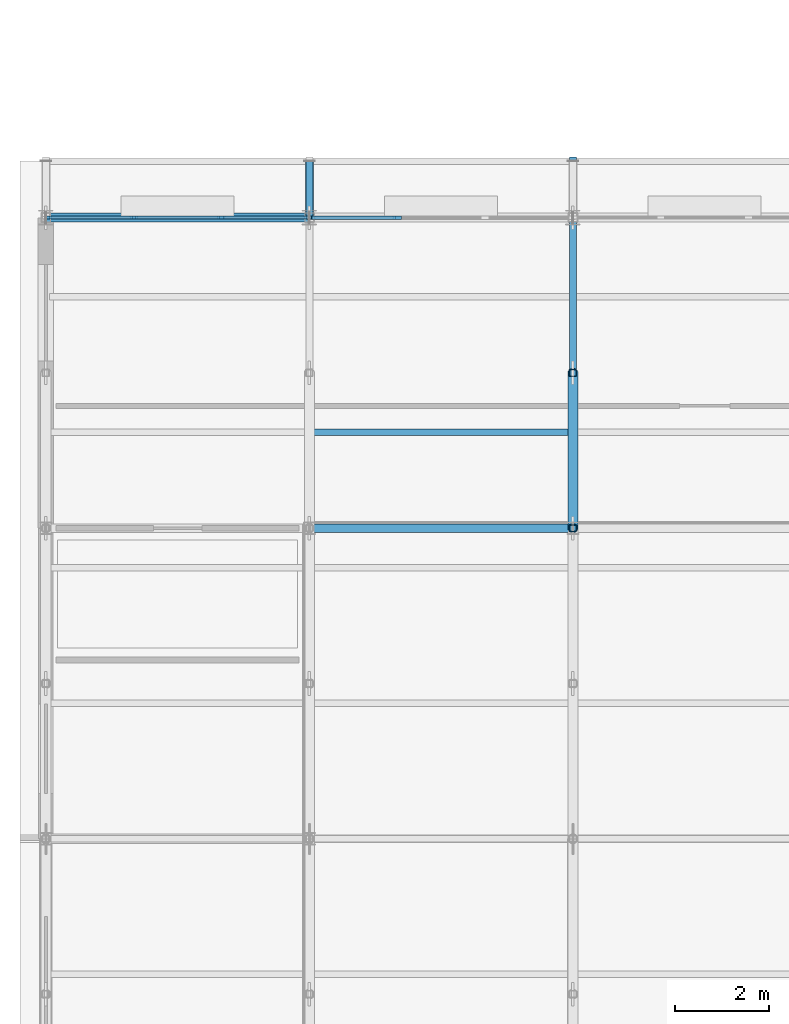
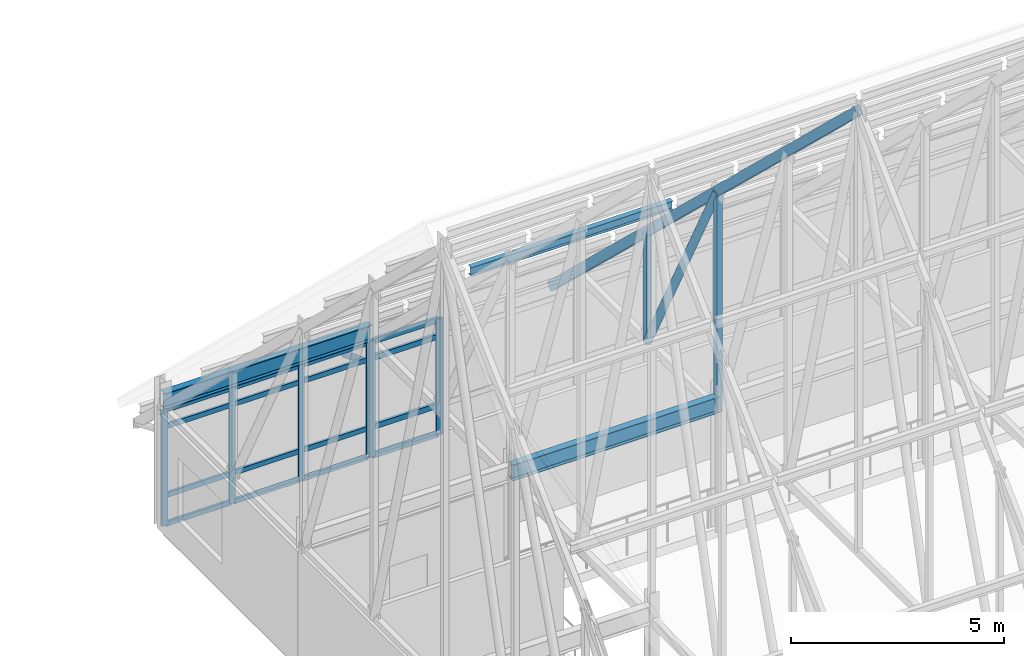
# One storey, part 32 of 144: 28 members, 2 beams, 2 elements without a shape of their own.
"""IFC4 building model written with IfcOpenShell, lengths in metres."""

from ifc_helpers import new_model, si_unit, direction, frame, origin, origin_2d, place, context, subcontext, project, spatial, rectangle, hollow_rectangle, hollow_circle, i_section, extrude, material, layer, layer_set, material_profile, profile_set, type_object, element, aggregate, save


model = new_model("IFC4")

# Units and contexts
model_context = context("Model", 3, precision=1e-05, world=origin(), true_north=direction((0.0, 1.0)))
body_context = subcontext(model_context, "Body", "Model", "MODEL_VIEW")
ifc_project = project(units=[si_unit("LENGTHUNIT", "METRE"), si_unit("AREAUNIT", "SQUARE_METRE"), si_unit("VOLUMEUNIT", "CUBIC_METRE"), si_unit("PLANEANGLEUNIT", "RADIAN"), si_unit("MASSUNIT", "GRAM", prefix="KILO")], contexts=[model_context])

# Site, building, storey
site_placement = place(None, origin())
site = spatial("IfcSite", under=ifc_project, at=site_placement, CompositionType="ELEMENT")
building_placement = place(site_placement, origin())
building = spatial("IfcBuilding", under=site, at=building_placement, Name="Trelmorton Wharf Fire Station", CompositionType="ELEMENT")
storey_placement = place(building_placement, frame((0.0, 0.0, 5.39990234375)))
storey = spatial("IfcBuildingStorey", under=building, at=storey_placement, Name="L01", CompositionType="ELEMENT", Elevation=5.39990234375)

# Curtain wall, members
ifc_material_1 = material(Name="Anodised aluminium AW-6063", Category="aluminium")
ifc_layer = layer(ifc_material_1, 0.175048828125)
ifc_layer_set = layer_set([ifc_layer], Name="Anodised aluminium AW-6063")
curtain_wall_type = type_object("IfcCurtainWallType", Name="CW_CHIC_B", PredefinedType="USERDEFINED", material=ifc_layer_set)
curtain_wall_1_placement = place(storey_placement, origin())
curtain_wall_1 = element("IfcCurtainWall", 1, at=curtain_wall_1_placement, inside=storey, type_object=curtain_wall_type, Name="CW-V1-L01-009", ObjectType="CHICAGO BAY CURTAIN WALL", PredefinedType="USERDEFINED")
ifc_material_profile_1 = material_profile(ifc_material_1, rectangle(XDim=0.06494140625, YDim=0.159912109375, at=origin_2d()), Name="ALU-65x160")
ifc_profile_set_1 = profile_set([ifc_material_profile_1], Name="Anodised aluminium AW-6063")
member_type_1 = type_object("IfcMemberType", Name="CWM_65x160", PredefinedType="MULLION", material=ifc_profile_set_1)
member_1_placement = place(storey_placement, frame((0.8349609375, 34.199951171875, 0.0), z_axis=(0.0, 0.0, 1.0), x_axis=(0.0, 1.0, 0.0)))
member_1 = element("IfcMember", 2, at=member_1_placement, type_object=member_type_1, Name="CW2 mullion 1", PredefinedType="MULLION", context=body_context, shape_type="SweptSolid", body=[
    extrude(rectangle(XDim=0.06494140625, YDim=0.159912109375, at=origin_2d()), origin(), (0.0, 0.0, 1.0), 3.320068359375),
])
member_2_placement = place(storey_placement, frame((2.668212890625, 34.199951171875, 0.0), z_axis=(0.0, 0.0, 1.0), x_axis=(0.0, 1.0, 0.0)))
member_2 = element("IfcMember", 3, at=member_2_placement, type_object=member_type_1, Name="CW2 mullion 2", PredefinedType="MULLION", context=body_context, shape_type="SweptSolid", body=[
    extrude(rectangle(XDim=0.06494140625, YDim=0.159912109375, at=origin_2d()), origin(), (0.0, 0.0, 1.0), 3.320068359375),
])
member_3_placement = place(storey_placement, frame((4.53173828125, 34.199951171875, 0.0), z_axis=(0.0, 0.0, 1.0), x_axis=(0.0, 1.0, 0.0)))
member_3 = element("IfcMember", 4, at=member_3_placement, type_object=member_type_1, Name="CW2 mullion 3", PredefinedType="MULLION", context=body_context, shape_type="SweptSolid", body=[
    extrude(rectangle(XDim=0.06494140625, YDim=0.159912109375, at=origin_2d()), origin(), (0.0, 0.0, 1.0), 3.320068359375),
])
member_4_placement = place(storey_placement, frame((6.364990234375, 34.199951171875, 0.0), z_axis=(0.0, 0.0, 1.0), x_axis=(0.0, 1.0, 0.0)))
member_4 = element("IfcMember", 5, at=member_4_placement, type_object=member_type_1, Name="CW2 mullion 4", PredefinedType="MULLION", context=body_context, shape_type="SweptSolid", body=[
    extrude(rectangle(XDim=0.06494140625, YDim=0.159912109375, at=origin_2d()), origin(), (0.0, 0.0, 1.0), 3.320068359375),
])

curtain_wall_2_placement = place(storey_placement, origin())
curtain_wall_2 = element("IfcCurtainWall", 6, at=curtain_wall_2_placement, inside=storey, type_object=curtain_wall_type, Name="CW-V1-L01-010", ObjectType="CHICAGO BAY CURTAIN WALL", PredefinedType="USERDEFINED")
ifc_material_profile_2 = material_profile(ifc_material_1, rectangle(XDim=0.074951171875, YDim=0.175048828125, at=origin_2d()), Name="ALU-75x175")
ifc_profile_set_2 = profile_set([ifc_material_profile_2], Name="Anodised aluminium AW-6063")
member_type_2 = type_object("IfcMemberType", Name="CWM_75x175", PredefinedType="MULLION", material=ifc_profile_set_2)
member_5_placement = place(storey_placement, frame((6.43505859375, 34.199951171875, 0.0), z_axis=(0.0, 0.0, 1.0), x_axis=(0.0, 1.0, 0.0)))
member_5 = element("IfcMember", 7, at=member_5_placement, type_object=member_type_2, Name="CW2 mullion 1", PredefinedType="MULLION", context=body_context, shape_type="SweptSolid", body=[
    extrude(rectangle(XDim=0.074951171875, YDim=0.175048828125, at=origin_2d()), origin(), (0.0, 0.0, 1.0), 3.320068359375),
])
member_6_placement = place(storey_placement, frame((8.268310546875, 34.199951171875, 0.0), z_axis=(0.0, 0.0, 1.0), x_axis=(0.0, 1.0, 0.0)))
member_6 = element("IfcMember", 8, at=member_6_placement, type_object=member_type_2, Name="CW2 mullion 2", PredefinedType="MULLION", context=body_context, shape_type="SweptSolid", body=[
    extrude(rectangle(XDim=0.074951171875, YDim=0.175048828125, at=origin_2d()), origin(), (0.0, 0.0, 1.0), 3.320068359375),
])

# Member
ifc_material_profile_3 = material_profile(ifc_material_1, rectangle(XDim=0.06494140625, YDim=0.139892578125, at=origin_2d()), Name="ALU-65x140")
ifc_profile_set_3 = profile_set([ifc_material_profile_3], Name="Anodised aluminium AW-6063")
member_type_3 = type_object("IfcMemberType", Name="CWT_65x140", PredefinedType="USERDEFINED", material=ifc_profile_set_3)
member_7_placement = place(storey_placement, frame((0.864990234375, 34.199951171875, 0.030029296875), z_axis=(1.0, 0.0, 0.0), x_axis=(0.0, 1.0, 0.0)))
member_7 = element("IfcMember", 9, at=member_7_placement, type_object=member_type_3, Name="CW2 transom 1.1", ObjectType="TRANSOM", PredefinedType="USERDEFINED", context=body_context, shape_type="SweptSolid", body=[
    extrude(rectangle(XDim=0.06494140625, YDim=0.139892578125, at=origin_2d()), origin(), (0.0, 0.0, 1.0), 1.7734375),
])

member_8_placement = place(storey_placement, frame((0.864990234375, 34.199951171875, 0.85009765625), z_axis=(1.0, 0.0, 0.0), x_axis=(0.0, 1.0, 0.0)))
member_8 = element("IfcMember", 10, at=member_8_placement, type_object=member_type_3, Name="CW2 transom 1.2", ObjectType="TRANSOM", PredefinedType="USERDEFINED", context=body_context, shape_type="SweptSolid", body=[
    extrude(rectangle(XDim=0.06494140625, YDim=0.139892578125, at=origin_2d()), origin(), (0.0, 0.0, 1.0), 1.7734375),
])

member_9_placement = place(storey_placement, frame((0.864990234375, 34.199951171875, 2.820068359375), z_axis=(1.0, 0.0, 0.0), x_axis=(0.0, 1.0, 0.0)))
member_9 = element("IfcMember", 11, at=member_9_placement, type_object=member_type_3, Name="CW2 transom 1.3", ObjectType="TRANSOM", PredefinedType="USERDEFINED", context=body_context, shape_type="SweptSolid", body=[
    extrude(rectangle(XDim=0.06494140625, YDim=0.139892578125, at=origin_2d()), origin(), (0.0, 0.0, 1.0), 1.7734375),
])

member_10_placement = place(storey_placement, frame((0.864990234375, 34.199951171875, 3.2900390625), z_axis=(1.0, 0.0, 0.0), x_axis=(0.0, 1.0, 0.0)))
member_10 = element("IfcMember", 12, at=member_10_placement, type_object=member_type_3, Name="CW2 transom 1.4", ObjectType="TRANSOM", PredefinedType="USERDEFINED", context=body_context, shape_type="SweptSolid", body=[
    extrude(rectangle(XDim=0.06494140625, YDim=0.139892578125, at=origin_2d()), origin(), (0.0, 0.0, 1.0), 1.7734375),
])

member_11_placement = place(storey_placement, frame((2.6982421875, 34.199951171875, 0.030029296875), z_axis=(1.0, 0.0, 0.0), x_axis=(0.0, 1.0, 0.0)))
member_11 = element("IfcMember", 13, at=member_11_placement, type_object=member_type_3, Name="CW2 transom 2.1", ObjectType="TRANSOM", PredefinedType="USERDEFINED", context=body_context, shape_type="SweptSolid", body=[
    extrude(rectangle(XDim=0.06494140625, YDim=0.139892578125, at=origin_2d()), origin(), (0.0, 0.0, 1.0), 1.803466796875),
])

member_12_placement = place(storey_placement, frame((2.6982421875, 34.199951171875, 0.85009765625), z_axis=(1.0, 0.0, 0.0), x_axis=(0.0, 1.0, 0.0)))
member_12 = element("IfcMember", 14, at=member_12_placement, type_object=member_type_3, Name="CW2 transom 2.2", ObjectType="TRANSOM", PredefinedType="USERDEFINED", context=body_context, shape_type="SweptSolid", body=[
    extrude(rectangle(XDim=0.06494140625, YDim=0.139892578125, at=origin_2d()), origin(), (0.0, 0.0, 1.0), 1.803466796875),
])

member_13_placement = place(storey_placement, frame((2.6982421875, 34.199951171875, 2.820068359375), z_axis=(1.0, 0.0, 0.0), x_axis=(0.0, 1.0, 0.0)))
member_13 = element("IfcMember", 15, at=member_13_placement, type_object=member_type_3, Name="CW2 transom 2.3", ObjectType="TRANSOM", PredefinedType="USERDEFINED", context=body_context, shape_type="SweptSolid", body=[
    extrude(rectangle(XDim=0.06494140625, YDim=0.139892578125, at=origin_2d()), origin(), (0.0, 0.0, 1.0), 1.803466796875),
])

member_14_placement = place(storey_placement, frame((2.6982421875, 34.199951171875, 3.2900390625), z_axis=(1.0, 0.0, 0.0), x_axis=(0.0, 1.0, 0.0)))
member_14 = element("IfcMember", 16, at=member_14_placement, type_object=member_type_3, Name="CW2 transom 2.4", ObjectType="TRANSOM", PredefinedType="USERDEFINED", context=body_context, shape_type="SweptSolid", body=[
    extrude(rectangle(XDim=0.06494140625, YDim=0.139892578125, at=origin_2d()), origin(), (0.0, 0.0, 1.0), 1.803466796875),
])

member_15_placement = place(storey_placement, frame((4.561767578125, 34.199951171875, 0.030029296875), z_axis=(1.0, 0.0, 0.0), x_axis=(0.0, 1.0, 0.0)))
member_15 = element("IfcMember", 17, at=member_15_placement, type_object=member_type_3, Name="CW2 transom 3.1", ObjectType="TRANSOM", PredefinedType="USERDEFINED", context=body_context, shape_type="SweptSolid", body=[
    extrude(rectangle(XDim=0.06494140625, YDim=0.139892578125, at=origin_2d()), origin(), (0.0, 0.0, 1.0), 1.773193359375),
])

member_16_placement = place(storey_placement, frame((4.561767578125, 34.199951171875, 0.85009765625), z_axis=(1.0, 0.0, 0.0), x_axis=(0.0, 1.0, 0.0)))
member_16 = element("IfcMember", 18, at=member_16_placement, type_object=member_type_3, Name="CW2 transom 3.2", ObjectType="TRANSOM", PredefinedType="USERDEFINED", context=body_context, shape_type="SweptSolid", body=[
    extrude(rectangle(XDim=0.06494140625, YDim=0.139892578125, at=origin_2d()), origin(), (0.0, 0.0, 1.0), 1.773193359375),
])

member_17_placement = place(storey_placement, frame((4.561767578125, 34.199951171875, 2.820068359375), z_axis=(1.0, 0.0, 0.0), x_axis=(0.0, 1.0, 0.0)))
member_17 = element("IfcMember", 19, at=member_17_placement, type_object=member_type_3, Name="CW2 transom 3.3", ObjectType="TRANSOM", PredefinedType="USERDEFINED", context=body_context, shape_type="SweptSolid", body=[
    extrude(rectangle(XDim=0.06494140625, YDim=0.139892578125, at=origin_2d()), origin(), (0.0, 0.0, 1.0), 1.773193359375),
])

member_18_placement = place(storey_placement, frame((4.561767578125, 34.199951171875, 3.2900390625), z_axis=(1.0, 0.0, 0.0), x_axis=(0.0, 1.0, 0.0)))
member_18 = element("IfcMember", 20, at=member_18_placement, type_object=member_type_3, Name="CW2 transom 3.4", ObjectType="TRANSOM", PredefinedType="USERDEFINED", context=body_context, shape_type="SweptSolid", body=[
    extrude(rectangle(XDim=0.06494140625, YDim=0.139892578125, at=origin_2d()), origin(), (0.0, 0.0, 1.0), 1.773193359375),
])

aggregate(curtain_wall_1, [member_1, member_2, member_3, member_4, member_7, member_8, member_9, member_10, member_11, member_12, member_13, member_14, member_15, member_16, member_17, member_18])

ifc_material_profile_4 = material_profile(ifc_material_1, rectangle(XDim=0.074951171875, YDim=0.155029296875, at=origin_2d()), Name="ALU-75x155")
ifc_profile_set_4 = profile_set([ifc_material_profile_4], Name="Anodised aluminium AW-6063")
member_type_4 = type_object("IfcMemberType", Name="CWT_75x155", PredefinedType="USERDEFINED", material=ifc_profile_set_4)
member_19_placement = place(storey_placement, frame((6.465087890625, 34.199951171875, 0.030029296875), z_axis=(1.0, 0.0, 0.0), x_axis=(0.0, 1.0, 0.0)))
member_19 = element("IfcMember", 21, at=member_19_placement, type_object=member_type_4, Name="CW2 transom 1.1", ObjectType="TRANSOM", PredefinedType="USERDEFINED", context=body_context, shape_type="SweptSolid", body=[
    extrude(rectangle(XDim=0.074951171875, YDim=0.155029296875, at=origin_2d()), origin(), (0.0, 0.0, 1.0), 1.773193359375),
])

member_20_placement = place(storey_placement, frame((6.465087890625, 34.199951171875, 0.85009765625), z_axis=(1.0, 0.0, 0.0), x_axis=(0.0, 1.0, 0.0)))
member_20 = element("IfcMember", 22, at=member_20_placement, type_object=member_type_4, Name="CW2 transom 1.2", ObjectType="TRANSOM", PredefinedType="USERDEFINED", context=body_context, shape_type="SweptSolid", body=[
    extrude(rectangle(XDim=0.074951171875, YDim=0.155029296875, at=origin_2d()), origin(), (0.0, 0.0, 1.0), 1.773193359375),
])

member_21_placement = place(storey_placement, frame((6.465087890625, 34.199951171875, 2.820068359375), z_axis=(1.0, 0.0, 0.0), x_axis=(0.0, 1.0, 0.0)))
member_21 = element("IfcMember", 23, at=member_21_placement, type_object=member_type_4, Name="CW2 transom 1.3", ObjectType="TRANSOM", PredefinedType="USERDEFINED", context=body_context, shape_type="SweptSolid", body=[
    extrude(rectangle(XDim=0.074951171875, YDim=0.155029296875, at=origin_2d()), origin(), (0.0, 0.0, 1.0), 1.773193359375),
])

member_22_placement = place(storey_placement, frame((6.465087890625, 34.199951171875, 3.2900390625), z_axis=(1.0, 0.0, 0.0), x_axis=(0.0, 1.0, 0.0)))
member_22 = element("IfcMember", 24, at=member_22_placement, type_object=member_type_4, Name="CW2 transom 1.4", ObjectType="TRANSOM", PredefinedType="USERDEFINED", context=body_context, shape_type="SweptSolid", body=[
    extrude(rectangle(XDim=0.074951171875, YDim=0.155029296875, at=origin_2d()), origin(), (0.0, 0.0, 1.0), 1.773193359375),
])

aggregate(curtain_wall_2, [member_5, member_6, member_19, member_20, member_21, member_22])

ifc_material_2 = material(Name="Steel Grade 300 (300 MPa)", Category="steel")
ifc_material_profile_5 = material_profile(ifc_material_2, i_section(OverallWidth=0.14599609375, OverallDepth=0.256103515625, WebThickness=0.00634765625, FlangeThickness=0.010986328125, FilletRadius=0.0087890625, at=origin_2d()), Name="250UB37.3")
ifc_profile_set_5 = profile_set([ifc_material_profile_5], Name="Steel Grade 300 (300 MPa)")
member_type_5 = type_object("IfcMemberType", Name="PR_250UB37", PredefinedType="PURLIN", material=ifc_profile_set_5)
member_23_placement = place(storey_placement, frame((6.471923828125, 29.639892578125, 8.064453125), z_axis=(1.0, 0.0, 0.0), x_axis=(0.0, 1.0, 0.0)))
element("IfcMember", 25, at=member_23_placement, inside=storey, type_object=member_type_5, Name="V1-PR-B02-N3", PredefinedType="PURLIN", context=body_context, shape_type="SweptSolid", body=[
    extrude(i_section(OverallWidth=0.14599609375, OverallDepth=0.256103515625, WebThickness=0.00634765625, FlangeThickness=0.010986328125, FilletRadius=0.0087890625, at=origin_2d()), origin(), (0.0, 0.0, 1.0), 5.4560546875),
])

# Beams
ifc_material_3 = material(Name="Steel Grade 350", Category="steel")
ifc_material_profile_6 = material_profile(ifc_material_3, i_section(OverallWidth=0.18994140625, OverallDepth=0.45703125, WebThickness=0.009033203125, FlangeThickness=0.014404296875, FilletRadius=0.011474609375, at=origin_2d()), Name="460UB74.6")
ifc_profile_set_6 = profile_set([ifc_material_profile_6], Name="Steel Grade 350")
beam_type = type_object("IfcBeamType", Name="SP_460UB75", PredefinedType="SPANDREL", material=ifc_profile_set_6)
for number, where, z_axis, x_axis, name in (
    (26, (6.404052734375, 27.60009765625, 3.591552734375), (1.0, 0.0, 0.0), (0.0, 1.0, 0.0), "BM-L01-0453"),
    (27, (0.803955078125, 34.199951171875, 3.591552734375), (1.0, 0.0, 0.0), (0.0, 1.0, 0.0), "BM-L01-0471"),
):
    element("IfcBeam", number, at=place(storey_placement, frame(where, z_axis=z_axis, x_axis=x_axis)), inside=storey, type_object=beam_type, Name=name, PredefinedType="SPANDREL", context=body_context, shape_type="SweptSolid", body=[
        extrude(i_section(OverallWidth=0.18994140625, OverallDepth=0.45703125, WebThickness=0.009033203125, FlangeThickness=0.014404296875, FilletRadius=0.011474609375, at=origin_2d()), origin(), (0.0, 0.0, 1.0), 5.592041015625),
    ])

# Members
ifc_material_4 = material(Name="Steel C350L0 (350 MPa)", Category="steel")
ifc_material_profile_7 = material_profile(ifc_material_4, hollow_circle(Radius=0.084228515625, WallThickness=0.007080078125, at=origin_2d()), Name="168.3x7.1CHS")
ifc_profile_set_7 = profile_set([ifc_material_profile_7], Name="Steel C350L0 (350 MPa)")
member_type_6 = type_object("IfcMemberType", Name="TR_DIAG_168CHS", PredefinedType="STRUT", material=ifc_profile_set_7)
member_24_placement = place(storey_placement, frame((6.39990234375, 34.199951171875, 2.7001953125), z_axis=(0.0, 0.924732639899, -0.380617320553), x_axis=(-1.0, 0.0, 0.0)))
element("IfcMember", 28, at=member_24_placement, inside=storey, type_object=member_type_6, Name="V1-TR02-EAV-N", PredefinedType="STRUT", context=body_context, shape_type="SweptSolid", body=[
    extrude(hollow_circle(Radius=0.084228515625, WallThickness=0.007080078125, at=origin_2d()), origin(), (0.0, 0.0, 1.0), 1.297607421875),
])
ifc_material_profile_8 = material_profile(ifc_material_4, hollow_circle(Radius=0.109619140625, WallThickness=0.00830078125, at=origin_2d()), Name="219.1x8.2CHS")
ifc_profile_set_8 = profile_set([ifc_material_profile_8], Name="Steel C350L0 (350 MPa)")
member_type_7 = type_object("IfcMemberType", Name="TR_DIAG_219CHS", PredefinedType="STRUT", material=ifc_profile_set_8)
member_25_placement = place(storey_placement, frame((12.0, 30.89990234375, 3.351806640625), z_axis=(0.0, -0.463982622554, 0.8858443012), x_axis=(1.0, 0.0, 0.0)))
element("IfcMember", 29, at=member_25_placement, inside=storey, type_object=member_type_7, Name="V1-TR03-DG-N1", PredefinedType="STRUT", context=body_context, shape_type="SweptSolid", body=[
    extrude(hollow_circle(Radius=0.109619140625, WallThickness=0.00830078125, at=origin_2d()), origin(), (0.0, 0.0, 1.0), 7.11181640625),
])
ifc_material_profile_9 = material_profile(ifc_material_4, hollow_rectangle(XDim=0.14990234375, YDim=0.14990234375, WallThickness=0.009033203125, at=origin_2d()), Name="150x150x9.0SHS")
ifc_profile_set_9 = profile_set([ifc_material_profile_9], Name="Steel C350L0 (350 MPa)")
member_type_8 = type_object("IfcMemberType", Name="TR_POST_150SHS", PredefinedType="POST", material=ifc_profile_set_9)
member_26_placement = place(storey_placement, frame((12.0, 30.89990234375, 3.351806640625), z_axis=(0.0, 0.0, 1.0), x_axis=(1.0, 0.0, 0.0)))
element("IfcMember", 30, at=member_26_placement, inside=storey, type_object=member_type_8, Name="V1-TR03-VP-N1", PredefinedType="POST", context=body_context, shape_type="SweptSolid", body=[
    extrude(hollow_rectangle(XDim=0.14990234375, YDim=0.14990234375, WallThickness=0.009033203125, at=origin_2d()), origin(), (0.0, 0.0, 1.0), 3.150146484375),
])
member_27_placement = place(storey_placement, frame((12.0, 27.60009765625, 3.351806640625), z_axis=(0.0, 0.0, 1.0), x_axis=(1.0, 0.0, 0.0)))
element("IfcMember", 31, at=member_27_placement, inside=storey, type_object=member_type_8, Name="V1-TR03-VP-N2", PredefinedType="POST", context=body_context, shape_type="SweptSolid", body=[
    extrude(hollow_rectangle(XDim=0.14990234375, YDim=0.14990234375, WallThickness=0.009033203125, at=origin_2d()), origin(), (0.0, 0.0, 1.0), 6.300048828125),
])
ifc_material_profile_10 = material_profile(ifc_material_4, hollow_rectangle(XDim=0.14990234375, YDim=0.25, WallThickness=0.009033203125, at=origin_2d()), Name="250x150x9.0RHS")
ifc_profile_set_10 = profile_set([ifc_material_profile_10], Name="Steel C350L0 (350 MPa)")
member_type_9 = type_object("IfcMemberType", Name="TR_RAFT_250RHS", PredefinedType="RAFTER", material=ifc_profile_set_10)
member_28_placement = place(storey_placement, frame((12.0, 21.0, 15.951904296875), z_axis=(0.0, 0.723349418794, -0.690482163659), x_axis=(-1.0, 0.0, 0.0)))
element("IfcMember", 32, at=member_28_placement, inside=storey, type_object=member_type_9, Name="V1-TR03-RFN", PredefinedType="RAFTER", context=body_context, shape_type="SweptSolid", body=[
    extrude(hollow_rectangle(XDim=0.14990234375, YDim=0.25, WallThickness=0.009033203125, at=origin_2d()), origin(), (0.0, 0.0, 1.0), 19.9072265625),
])

save(model, "model.ifc")
